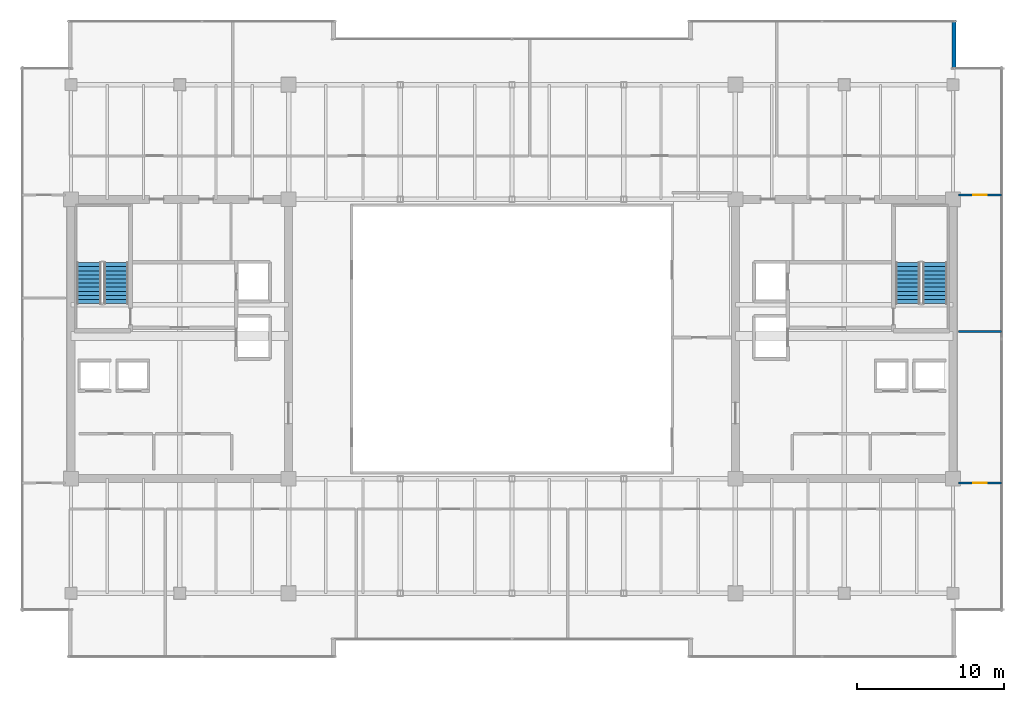
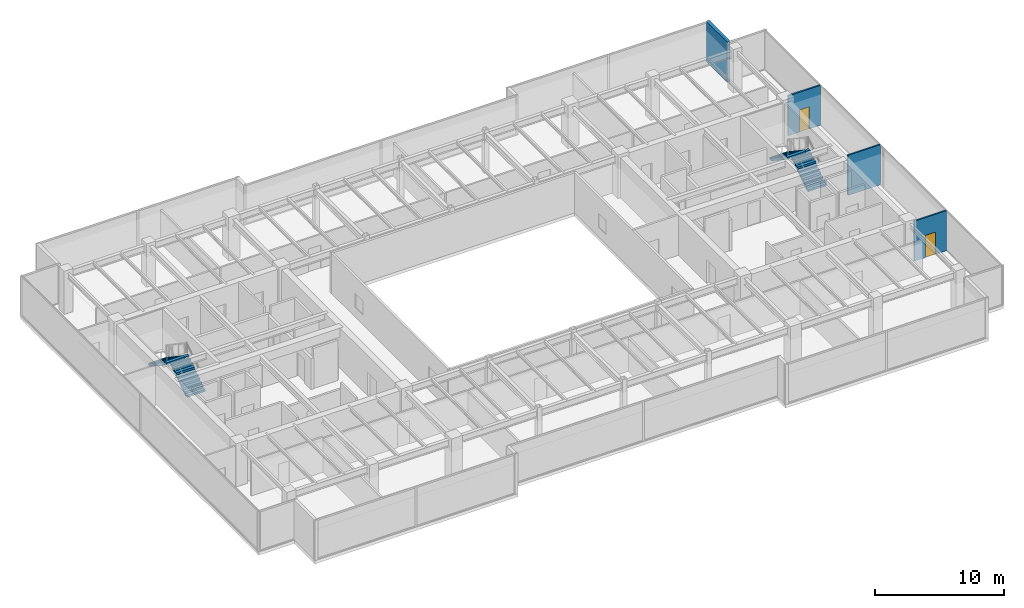
# One storey, part 31 of 35: 4 stair flights, 4 walls, 2 doors, 2 openings, 2 elements without a shape of their own.
"""IFC4 building model written with IfcOpenShell, lengths in metres."""

import ifcopenshell
import ifcopenshell.guid

model = None  # the IFC model being written
_history = None  # IfcOwnerHistory: only IFC2X3 demands one
_inside = {}  # id of a spatial element -> (the spatial element, [elements in it])
_under = {}  # id of a project, library or spatial element -> (it, [spatial elements below it])
_declared = {}  # id of a project -> (the project, [libraries it declares])
_typed = {}  # id of a type object -> (the type object, [elements of that type])
_made_of = {}  # id of a material, layer set ... -> (it, [elements and type objects made of it])


def new_model(schema):
    """Start an empty IFC model of exactly this schema.

    Asked for "IFC4X3", IfcOpenShell would pick the latest addendum, in which some entities
    have other attributes; the version numbers below select the first issue.
    IFC2X3 requires an IfcOwnerHistory on every rooted entity: one is made here for all.
    """
    global model, _history
    if schema == "IFC4X3":
        model = ifcopenshell.file(schema_version=(4, 3, 0, 0))
    else:
        model = ifcopenshell.file(schema=schema)
    _inside.clear()
    _under.clear()
    _declared.clear()
    _typed.clear()
    _made_of.clear()
    _history = None
    if model.schema == "IFC2X3":
        org = make("IfcOrganization", Name="unknown")
        user = make(
            "IfcPersonAndOrganization",
            ThePerson=make("IfcPerson", FamilyName="unknown"),
            TheOrganization=org,
        )
        app = make(
            "IfcApplication",
            ApplicationDeveloper=org,
            Version="unknown",
            ApplicationFullName="unknown",
            ApplicationIdentifier="unknown",
        )
        _history = make(
            "IfcOwnerHistory",
            OwningUser=user,
            OwningApplication=app,
            ChangeAction="ADDED",
            CreationDate=0,
        )
    return model


def make(cls, **values):
    """One entity of the class cls with the attributes given. An attribute that is None is left unset."""
    return model.create_entity(
        cls, **{name: value for name, value in values.items() if value is not None}
    )


def rooted(cls, **values):
    """An entity with a GlobalId (a new one), such as an element, a storey or a relation."""
    return make(cls, GlobalId=ifcopenshell.guid.new(), OwnerHistory=_history, **values)


def si_unit(unit_type, name, prefix=None):
    """IfcSIUnit, for example si_unit("LENGTHUNIT", "METRE", prefix="MILLI")."""
    return make("IfcSIUnit", UnitType=unit_type, Prefix=prefix, Name=name)


def assignment(units):
    """IfcUnitAssignment: the units of a project."""
    return None if units is None else make("IfcUnitAssignment", Units=units)


def point(xyz):
    """IfcCartesianPoint."""
    return None if xyz is None else make("IfcCartesianPoint", Coordinates=xyz)


def direction(xyz):
    """IfcDirection."""
    return None if xyz is None else make("IfcDirection", DirectionRatios=xyz)


def frame(location, z_axis=None, x_axis=None):
    """IfcAxis2Placement3D, a coordinate frame: its origin and axes. An axis left out is left unset."""
    return make(
        "IfcAxis2Placement3D",
        Location=point(location),
        Axis=direction(z_axis),
        RefDirection=direction(x_axis),
    )


def frame_2d(location, x_axis=None):
    """IfcAxis2Placement2D, a coordinate frame in the plane: its origin and x axis."""
    return make(
        "IfcAxis2Placement2D", Location=point(location), RefDirection=direction(x_axis)
    )


def origin():
    """The frame at (0, 0, 0) with its axes left unset."""
    return frame((0.0, 0.0, 0.0))


def place(relative_to, where):
    """IfcLocalPlacement: puts the frame where relative to a parent placement (None: the world)."""
    return make(
        "IfcLocalPlacement", PlacementRelTo=relative_to, RelativePlacement=where
    )


def context(
    kind, dimensions, precision=None, world=None, true_north=None, identifier=None
):
    """IfcGeometricRepresentationContext, for example the 3D "Model" context."""
    return make(
        "IfcGeometricRepresentationContext",
        ContextIdentifier=identifier,
        ContextType=kind,
        CoordinateSpaceDimension=dimensions,
        Precision=precision,
        WorldCoordinateSystem=world,
        TrueNorth=true_north,
    )


def subcontext(parent, identifier, kind, view, scale=None):
    """IfcGeometricRepresentationSubContext, for example "Body" below "Model"."""
    return make(
        "IfcGeometricRepresentationSubContext",
        ContextIdentifier=identifier,
        ContextType=kind,
        ParentContext=parent,
        TargetScale=scale,
        TargetView=view,
    )


def project(units=None, contexts=None):
    """IfcProject with its units and contexts."""
    return rooted(
        "IfcProject",
        Name="project",
        RepresentationContexts=contexts,
        UnitsInContext=assignment(units),
    )


def spatial(cls, under=None, at=None, **own):
    """A site, building, storey or space (cls), placed at a placement, below another one or the project."""
    s = rooted(cls, ObjectPlacement=at, **own)
    if under is not None:
        _under.setdefault(under.id(), (under, []))[1].append(s)
    return s


def polyline(points):
    """IfcPolyline through the points."""
    return make("IfcPolyline", Points=[point(p) for p in points])


def profile(cls, at=None, kind="AREA", **sizes):
    """A parametric profile (cls). Its sizes go by their IFC names, for example OverallWidth=200.0."""
    return make(cls, ProfileType=kind, Position=at, **sizes)


def rectangle(**sizes):
    """IfcRectangleProfileDef."""
    return profile("IfcRectangleProfileDef", **sizes)


def outline(outer, holes=None, kind="AREA"):
    """IfcArbitraryClosedProfileDef: a profile drawn as a closed curve; with holes, ...WithVoids."""
    if holes is None:
        return make("IfcArbitraryClosedProfileDef", ProfileType=kind, OuterCurve=outer)
    return make(
        "IfcArbitraryProfileDefWithVoids",
        ProfileType=kind,
        OuterCurve=outer,
        InnerCurves=holes,
    )


def extrude(swept, where, along, depth):
    """IfcExtrudedAreaSolid: the profile swept, set in the frame where, extruded along a direction by depth."""
    return make(
        "IfcExtrudedAreaSolid",
        SweptArea=swept,
        Position=where,
        ExtrudedDirection=direction(along),
        Depth=depth,
    )


def shape(context_of_items, identifier, shape_type, items):
    """IfcShapeRepresentation: the items that make up one representation, for example the "Body"."""
    return make(
        "IfcShapeRepresentation",
        ContextOfItems=context_of_items,
        RepresentationIdentifier=identifier,
        RepresentationType=shape_type,
        Items=items,
    )


def source(mapping_origin, context_of_items, identifier, shape_type, items):
    """IfcRepresentationMap: a shape defined once, which mapped items show again and again."""
    return make(
        "IfcRepresentationMap",
        MappingOrigin=mapping_origin,
        MappedRepresentation=shape(context_of_items, identifier, shape_type, items),
    )


def transform(
    local_origin,
    x_axis=None,
    y_axis=None,
    z_axis=None,
    scale=None,
    scale2=None,
    scale3=None,
    uniform=True,
):
    """IfcCartesianTransformationOperator3D, or its non-uniform kind. x_axis, y_axis, z_axis: its Axis1, 2, 3."""
    if uniform:
        return make(
            "IfcCartesianTransformationOperator3D",
            Axis1=direction(x_axis),
            Axis2=direction(y_axis),
            LocalOrigin=point(local_origin),
            Scale=scale,
            Axis3=direction(z_axis),
        )
    return make(
        "IfcCartesianTransformationOperator3DnonUniform",
        Axis1=direction(x_axis),
        Axis2=direction(y_axis),
        LocalOrigin=point(local_origin),
        Scale=scale,
        Axis3=direction(z_axis),
        Scale2=scale2,
        Scale3=scale3,
    )


def mapped(mapping_source, mapping_target):
    """IfcMappedItem: shows the shape of a source again, moved by a transform."""
    return make(
        "IfcMappedItem", MappingSource=mapping_source, MappingTarget=mapping_target
    )


def material(Name=None, Category=None):
    """IfcMaterial."""
    return make("IfcMaterial", Name=Name, Category=Category)


def layer(
    of_material, thickness, ventilated=None, Name=None, Category=None, Priority=None
):
    """IfcMaterialLayer: one layer of a wall or slab, of a material (None: an air gap)."""
    return make(
        "IfcMaterialLayer",
        Material=of_material,
        LayerThickness=thickness,
        IsVentilated=ventilated,
        Name=Name,
        Category=Category,
        Priority=Priority,
    )


def layer_set(layers, Name=None):
    """IfcMaterialLayerSet."""
    return make("IfcMaterialLayerSet", MaterialLayers=layers, LayerSetName=Name)


def made_of(thing, what):
    """Note that an element or type object is made of a material, layer set ...; save() writes the relation."""
    if what is not None:
        _made_of.setdefault(what.id(), (what, []))[1].append(thing)
    return thing


def type_object(cls, material=None, **own):
    """A type object (cls), such as IfcWallType, which elements share."""
    return made_of(rooted(cls, **own), material)


def type_shapes(of_type, sources):
    """Give a type object the sources (RepresentationMaps) that its elements show as mapped items."""
    of_type.RepresentationMaps = sources


def element(
    cls,
    number,
    at=None,
    inside=None,
    cuts=None,
    type_object=None,
    material=None,
    context=None,
    identifier="Body",
    shape_type=None,
    held_by="IfcProductDefinitionShape",
    body=None,
    shapes=None,
    **own,
):
    """One element of the class cls, such as IfcWall. Its Tag is "e" and its number.

    at: its placement. inside: the storey or other place that contains it. cuts: it is an
    opening in that element (IfcRelVoidsElement). A single representation is given by context,
    identifier, shape_type and body (its items); several are given by shapes. held_by: the class
    of the entity that holds the representations. save() writes the other relations.
    """
    e = rooted(cls, Tag="e%d" % number, ObjectPlacement=at, **own)
    if body is not None:
        shapes = [shape(context, identifier, shape_type, body)]
    if shapes is not None:
        e.Representation = make(held_by, Representations=shapes)
    if inside is not None:
        _inside.setdefault(inside.id(), (inside, []))[1].append(e)
    if cuts is not None:
        rooted(
            "IfcRelVoidsElement", RelatingBuildingElement=cuts, RelatedOpeningElement=e
        )
    if type_object is not None:
        _typed.setdefault(type_object.id(), (type_object, []))[1].append(e)
    return made_of(e, material)


def fill(opening, filler):
    """IfcRelFillsElement: the door or window that sits in an opening."""
    return rooted(
        "IfcRelFillsElement",
        RelatingOpeningElement=opening,
        RelatedBuildingElement=filler,
    )


def aggregate(whole, parts):
    """IfcRelAggregates: a whole, such as a stair, and the parts it consists of."""
    return rooted("IfcRelAggregates", RelatingObject=whole, RelatedObjects=parts)


def save(model, path):
    """Write the relations noted so far, then the file.

    IfcRelAggregates (storeys below a building ...), IfcRelContainedInSpatialStructure (elements
    in a storey), IfcRelDefinesByType, IfcRelAssociatesMaterial and IfcRelDeclares: one each for
    every whole, place, type object, material and project.
    """
    for whole, parts in _under.values():
        aggregate(whole, parts)
    for where, things in _inside.values():
        rooted(
            "IfcRelContainedInSpatialStructure",
            RelatedElements=things,
            RelatingStructure=where,
        )
    for kind, things in _typed.values():
        rooted("IfcRelDefinesByType", RelatedObjects=things, RelatingType=kind)
    for what, things in _made_of.values():
        rooted("IfcRelAssociatesMaterial", RelatedObjects=things, RelatingMaterial=what)
    for by, libraries in _declared.values():
        rooted("IfcRelDeclares", RelatingContext=by, RelatedDefinitions=libraries)
    model.write(path)


model = new_model("IFC4")

# Units and contexts
model_context = context("Model", 3, precision=1e-05, world=origin(), true_north=direction((0.0, 1.0)))
body_context = subcontext(model_context, "Body", "Model", "MODEL_VIEW")
ifc_project = project(units=[si_unit("LENGTHUNIT", "METRE"), si_unit("AREAUNIT", "SQUARE_METRE"), si_unit("VOLUMEUNIT", "CUBIC_METRE"), si_unit("PLANEANGLEUNIT", "RADIAN"), si_unit("MASSUNIT", "GRAM", prefix="KILO")], contexts=[model_context])

# Site, building, storey
site_placement = place(None, origin())
site = spatial("IfcSite", under=ifc_project, at=site_placement, CompositionType="ELEMENT")
building_placement = place(site_placement, origin())
building = spatial("IfcBuilding", under=site, at=building_placement, Name="Haelvirn Gate Laboratories", CompositionType="ELEMENT")
storey_placement = place(building_placement, frame((0.0, 0.0, 221.89990234375)))
storey = spatial("IfcBuildingStorey", under=building, at=storey_placement, Name="L53", CompositionType="ELEMENT", Elevation=221.89990234375)

# Walls
ifc_material_1 = material(Name="Thermally-broken bronze aluminium rainscreen & mineral wool", Category="aluminium")
ifc_layer_1 = layer(ifc_material_1, 0.280029296875, Name="EW-TERR-280")
ifc_layer_set_1 = layer_set([ifc_layer_1], Name="Thermally-broken bronze aluminium rainscreen & mineral wool")
wall_type_1 = type_object("IfcWallType", Name="EW-TERR-280", PredefinedType="STANDARD", material=ifc_layer_set_1)
wall_1_placement = place(storey_placement, frame((67.4599609375, 42.7119140625, 0.0), z_axis=(0.0, 0.0, 1.0), x_axis=(0.0, 1.0, 0.0)))
element("IfcWall", 1, at=wall_1_placement, inside=storey, type_object=wall_type_1, Name="L53 Atrium Recess Bronze Return Wall 09", PredefinedType="STANDARD", context=body_context, shape_type="SweptSolid", body=[
    extrude(rectangle(XDim=3.2880859375, YDim=0.280029296875, at=frame_2d((1.64404296875, 0.0))), origin(), (0.0, 0.0, 1.0), 3.800048828125),
])
ifc_material_2 = material(Name="Acoustic mineral-wool gypsum board partition", Category="gypsum")
ifc_layer_2 = layer(ifc_material_2, 0.139892578125, Name="IW-PART-140")
ifc_layer_set_2 = layer_set([ifc_layer_2], Name="Acoustic mineral-wool gypsum board partition")
wall_type_2 = type_object("IfcWallType", Name="IW-PART-140", PredefinedType="PARTITIONING", material=ifc_layer_set_2)
wall_2_placement = place(storey_placement, frame((67.780029296875, 24.800048828125, 0.0), z_axis=(0.0, 0.0, 1.0), x_axis=(1.0, 0.0, 0.0)))
element("IfcWall", 2, at=wall_2_placement, inside=storey, type_object=wall_type_2, Name="L53 Interior Wall IW-L53-EZ3-MID", PredefinedType="PARTITIONING", context=body_context, shape_type="SweptSolid", body=[
    extrude(rectangle(XDim=2.909912109375, YDim=0.139892578125, at=frame_2d((1.455078125, 0.0))), origin(), (0.0, 0.0, 1.0), 3.800048828125),
])

# Wall, opening, door
wall_3_placement = place(storey_placement, frame((67.780029296875, 14.5048828125, 0.0), z_axis=(0.0, 0.0, 1.0), x_axis=(1.0, 0.0, 0.0)))
wall_3 = element("IfcWall", 3, at=wall_3_placement, inside=storey, type_object=wall_type_2, Name="L53 Interior Wall IW-L53-EZ3-ENT-S", PredefinedType="PARTITIONING", context=body_context, shape_type="SweptSolid", body=[
    extrude(rectangle(XDim=2.909912109375, YDim=0.139892578125, at=frame_2d((1.455078125, 0.0))), origin(), (0.0, 0.0, 1.0), 3.800048828125),
])
opening_1_placement = place(wall_3_placement, frame((1.0048828125, 0.0, 0.0)))
opening_1 = element("IfcOpeningElement", 4, at=opening_1_placement, cuts=wall_3, Name="Opening D4", PredefinedType="OPENING", context=body_context, shape_type="SweptSolid", body=[
    extrude(rectangle(XDim=0.89990234375, YDim=2.10009765625, at=frame_2d((0.449951171875, 1.050048828125))), frame((0.0, 0.080078125, 0.0), z_axis=(0.0, -1.0, 0.0), x_axis=(1.0, 0.0, 0.0)), (0.0, 0.0, 1.0), 0.159912109375),
])
ifc_material_3 = material(Name="Glazed aluminium-framed write-up door", Category="aluminium")
door_type = type_object("IfcDoorType", Name="DR-OFF-900", OperationType="NOTDEFINED", PredefinedType="DOOR", material=ifc_material_3)
shared_shape_1 = source(origin(), body_context, "Body", "SweptSolid", [
    extrude(rectangle(XDim=0.89990234375, YDim=2.10009765625, at=frame_2d((0.449951171875, 1.050048828125))), frame((0.0, 0.02490234375, 0.0), z_axis=(0.0, -1.0, 0.0), x_axis=(1.0, 0.0, 0.0)), (0.0, 0.0, 1.0), 0.050048828125),
])
type_shapes(door_type, [shared_shape_1])
door_1_placement = place(opening_1_placement, origin())
door_1 = element("IfcDoor", 5, at=door_1_placement, inside=storey, type_object=door_type, Name="L53 Floor Hydration & Tea Servery Door E-S", OperationType="SINGLE_SWING_LEFT", OverallHeight=2.10009765625, OverallWidth=0.89990234375, PredefinedType="DOOR", context=body_context, shape_type="MappedRepresentation", body=[
    mapped(shared_shape_1, transform((0.0, 0.0, 0.0), scale=1.0)),
])
fill(opening_1, door_1)

wall_4_placement = place(storey_placement, frame((67.780029296875, 34.094970703125, 0.0), z_axis=(0.0, 0.0, 1.0), x_axis=(1.0, 0.0, 0.0)))
wall_4 = element("IfcWall", 6, at=wall_4_placement, inside=storey, type_object=wall_type_2, Name="L53 Interior Wall IW-L53-EZ3-ENT-N", PredefinedType="PARTITIONING", context=body_context, shape_type="SweptSolid", body=[
    extrude(rectangle(XDim=2.909912109375, YDim=0.139892578125, at=frame_2d((1.455078125, 0.0))), origin(), (0.0, 0.0, 1.0), 3.800048828125),
])
opening_2_placement = place(wall_4_placement, frame((1.0048828125, 0.0, 0.0)))
opening_2 = element("IfcOpeningElement", 7, at=opening_2_placement, cuts=wall_4, Name="Opening D4", PredefinedType="OPENING", context=body_context, shape_type="SweptSolid", body=[
    extrude(rectangle(XDim=0.89990234375, YDim=2.10009765625, at=frame_2d((0.449951171875, 1.050048828125))), frame((0.0, 0.080078125, 0.0), z_axis=(0.0, -1.0, 0.0), x_axis=(1.0, 0.0, 0.0)), (0.0, 0.0, 1.0), 0.159912109375),
])
door_2_placement = place(opening_2_placement, origin())
door_2 = element("IfcDoor", 8, at=door_2_placement, inside=storey, type_object=door_type, Name="L53 Postdoctoral Reading Lounge Door E-N", OperationType="SINGLE_SWING_RIGHT", OverallHeight=2.10009765625, OverallWidth=0.89990234375, PredefinedType="DOOR", context=body_context, shape_type="MappedRepresentation", body=[
    mapped(shared_shape_1, transform((0.0, 0.0, 0.0), scale=1.0)),
])
fill(opening_2, door_2)

# Stair, stair flights
ifc_material_4 = material(Name="Concrete C40/50", Category="concrete")
stair_type = type_object("IfcStairType", Name="ST-DOG-1650-R22", PredefinedType="HALF_TURN_STAIR", material=ifc_material_4)
stair_1_placement = place(storey_placement, origin())
stair_1 = element("IfcStair", 9, at=stair_1_placement, inside=storey, type_object=stair_type, Name="L53 Escape Stair ST1", PredefinedType="HALF_TURN_STAIR")
stair_flight_type = type_object("IfcStairFlightType", Name="STF-1650-R11", PredefinedType="STRAIGHT", material=ifc_material_4)
shared_shape_2 = source(origin(), body_context, "Body", "SweptSolid", [
    extrude(outline(polyline([(0.0, 0.0), (0.0, 0.186279296875), (0.280029296875, 0.186279296875), (0.280029296875, 0.372802734375), (0.56005859375, 0.372802734375), (0.56005859375, 0.55908203125), (0.840087890625, 0.55908203125), (0.840087890625, 0.745361328125), (1.1201171875, 0.745361328125), (1.1201171875, 0.931884765625), (1.39990234375, 0.931884765625), (1.39990234375, 1.1181640625), (1.679931640625, 1.1181640625), (1.679931640625, 1.304443359375), (1.9599609375, 1.304443359375), (1.9599609375, 1.490966796875), (2.239990234375, 1.490966796875), (2.239990234375, 1.67724609375), (2.52001953125, 1.67724609375), (2.52001953125, 1.863525390625), (2.800048828125, 1.863525390625), (2.800048828125, 2.050048828125), (2.800048828125, 1.671630859375), (0.28857421875, 0.0), (0.0, 0.0)])), frame((0.0, 0.824951171875, 0.0), z_axis=(0.0, -1.0, 0.0), x_axis=(1.0, 0.0, 0.0)), (0.0, 0.0, 1.0), 1.64990234375),
])
type_shapes(stair_flight_type, [shared_shape_2])
stair_flight_1_placement = place(storey_placement, frame((10.47509765625, 26.699951171875, 0.0), z_axis=(0.0, 0.0, 1.0), x_axis=(0.0, 1.0, 0.0)))
stair_flight_1 = element("IfcStairFlight", 10, at=stair_flight_1_placement, type_object=stair_flight_type, Name="ST1 flight 1", NumberOfRisers=11, NumberOfTreads=10, PredefinedType="STRAIGHT", RiserHeight=0.186363636, TreadLength=0.28, context=body_context, shape_type="MappedRepresentation", body=[
    mapped(shared_shape_2, transform((0.0, 0.0, 0.0), scale=1.0)),
])
stair_flight_2_placement = place(storey_placement, frame((8.625, 29.5, 2.050048828125), z_axis=(0.0, 0.0, 1.0), x_axis=(0.0, -1.0, 0.0)))
stair_flight_2 = element("IfcStairFlight", 11, at=stair_flight_2_placement, type_object=stair_flight_type, Name="ST1 flight 2", NumberOfRisers=11, NumberOfTreads=10, PredefinedType="STRAIGHT", RiserHeight=0.186363636, TreadLength=0.28, context=body_context, shape_type="MappedRepresentation", body=[
    mapped(shared_shape_2, transform((0.0, 0.0, 0.0), scale=1.0)),
])
aggregate(stair_1, [stair_flight_1, stair_flight_2])

stair_2_placement = place(storey_placement, origin())
stair_2 = element("IfcStair", 12, at=stair_2_placement, inside=storey, type_object=stair_type, Name="L53 Escape Stair ST2", PredefinedType="HALF_TURN_STAIR")
stair_flight_3_placement = place(storey_placement, frame((66.175048828125, 26.699951171875, 0.0), z_axis=(0.0, 0.0, 1.0), x_axis=(0.0, 1.0, 0.0)))
stair_flight_3 = element("IfcStairFlight", 13, at=stair_flight_3_placement, type_object=stair_flight_type, Name="ST2 flight 1", NumberOfRisers=11, NumberOfTreads=10, PredefinedType="STRAIGHT", RiserHeight=0.186363636, TreadLength=0.28, context=body_context, shape_type="MappedRepresentation", body=[
    mapped(shared_shape_2, transform((0.0, 0.0, 0.0), scale=1.0)),
])
stair_flight_4_placement = place(storey_placement, frame((64.324951171875, 29.5, 2.050048828125), z_axis=(0.0, 0.0, 1.0), x_axis=(0.0, -1.0, 0.0)))
stair_flight_4 = element("IfcStairFlight", 14, at=stair_flight_4_placement, type_object=stair_flight_type, Name="ST2 flight 2", NumberOfRisers=11, NumberOfTreads=10, PredefinedType="STRAIGHT", RiserHeight=0.186363636, TreadLength=0.28, context=body_context, shape_type="MappedRepresentation", body=[
    mapped(shared_shape_2, transform((0.0, 0.0, 0.0), scale=1.0)),
])
aggregate(stair_2, [stair_flight_3, stair_flight_4])

save(model, "model.ifc")
